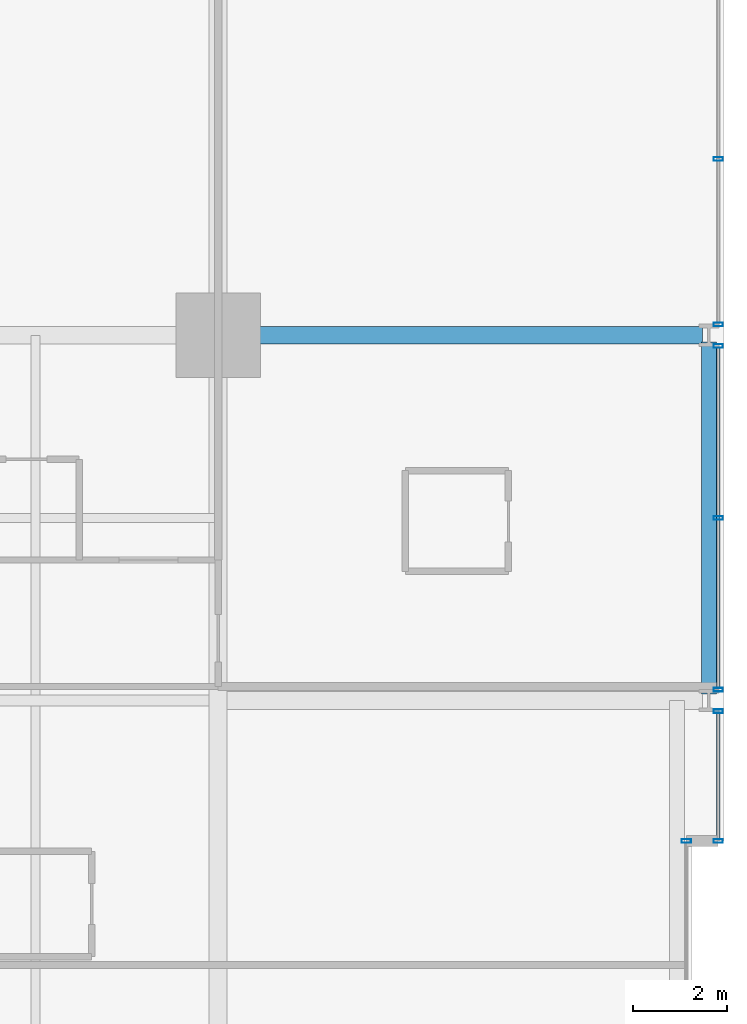
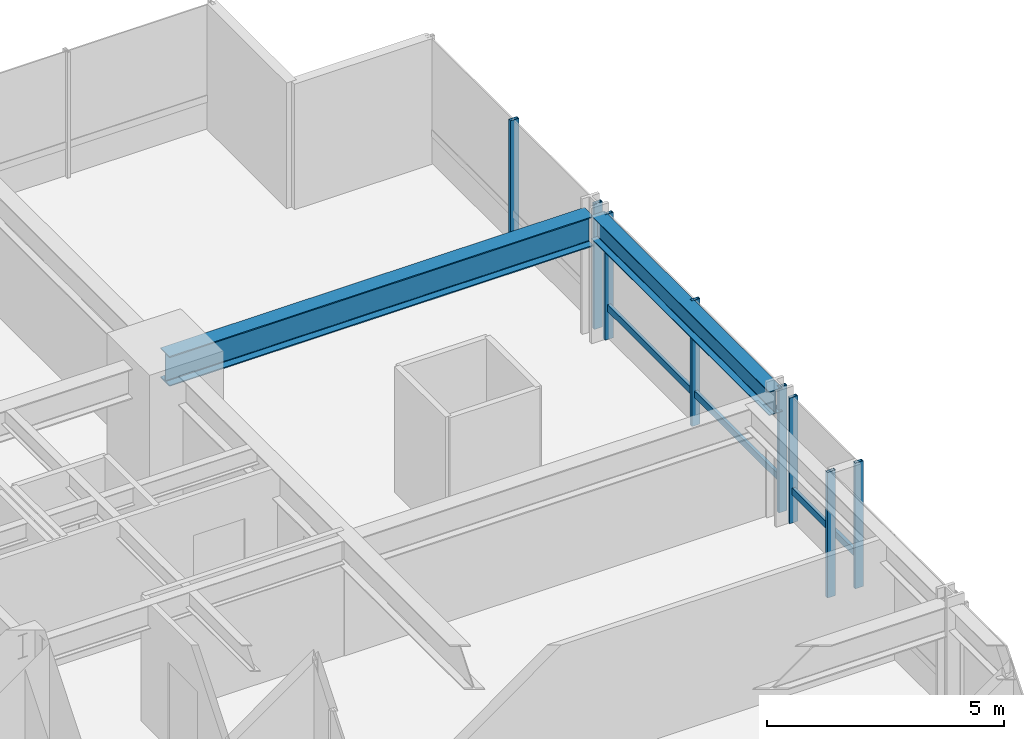
# One storey, part 25 of 38: 10 members, 2 beams, 4 elements without a shape of their own.
"""IFC4 building model written with IfcOpenShell, lengths in metres."""

from ifc_helpers import new_model, si_unit, direction, frame, origin, origin_2d, place, context, subcontext, project, spatial, hollow_rectangle, i_section, extrude, material, layer, layer_set, material_profile, profile_set, type_object, element, aggregate, save


model = new_model("IFC4")

# Units and contexts
model_context = context("Model", 3, precision=1e-05, world=origin(), true_north=direction((0.0, 1.0)))
body_context = subcontext(model_context, "Body", "Model", "MODEL_VIEW")
ifc_project = project(units=[si_unit("LENGTHUNIT", "METRE"), si_unit("AREAUNIT", "SQUARE_METRE"), si_unit("VOLUMEUNIT", "CUBIC_METRE"), si_unit("PLANEANGLEUNIT", "RADIAN"), si_unit("MASSUNIT", "GRAM", prefix="KILO")], contexts=[model_context])

# Site, building, storey
site_placement = place(None, origin())
site = spatial("IfcSite", under=ifc_project, at=site_placement, CompositionType="ELEMENT")
building_placement = place(site_placement, origin())
building = spatial("IfcBuilding", under=site, at=building_placement, Name="Drelvath Grand Hotel", CompositionType="ELEMENT")
storey_placement = place(building_placement, frame((0.0, 0.0, 61.199951171875)))
storey = spatial("IfcBuildingStorey", under=building, at=storey_placement, Name="L14", CompositionType="ELEMENT", Elevation=61.199951171875)

# Curtain wall, member
ifc_material_1 = material(Name="Warm Bronze Anodised Aluminium Frame", Category="aluminium")
ifc_layer = layer(ifc_material_1, 0.199951171875)
ifc_layer_set = layer_set([ifc_layer], Name="Warm Bronze Anodised Aluminium Frame")
curtain_wall_type = type_object("IfcCurtainWallType", Name="Stick Curtain Wall CW-02 Warm Bronze Low-Rise", PredefinedType="NOTDEFINED", material=ifc_layer_set)
curtain_wall_1_placement = place(storey_placement, origin())
curtain_wall_1 = element("IfcCurtainWall", 1, at=curtain_wall_1_placement, inside=storey, type_object=curtain_wall_type, Name="L14 CW-02 Curtain Wall CW02-L14-EN1", PredefinedType="NOTDEFINED")
ifc_material_profile_1 = material_profile(ifc_material_1, hollow_rectangle(XDim=0.074951171875, YDim=0.179931640625, WallThickness=0.0048828125, at=origin_2d()), Name="HSS180X75X5")
ifc_profile_set_1 = profile_set([ifc_material_profile_1], Name="Warm Bronze Anodised Aluminium Frame")
member_type_1 = type_object("IfcMemberType", Name="Curtain Wall Horizontal Transom CW-02 HSS180X75X5", PredefinedType="USERDEFINED", material=ifc_profile_set_1)
member_1_placement = place(storey_placement, frame((26.8798828125, 35.130859375, 0.81005859375), z_axis=(0.0, -1.0, 0.0), x_axis=(1.0, 0.0, 0.0)))
member_1 = element("IfcMember", 2, at=member_1_placement, type_object=member_type_1, Name="CW02-L14-EN1 Sill Transom", ObjectType="TRANSOM", PredefinedType="USERDEFINED", context=body_context, shape_type="SweptSolid", body=[
    extrude(hollow_rectangle(XDim=0.074951171875, YDim=0.179931640625, WallThickness=0.0048828125, at=origin_2d()), origin(), (0.0, 0.0, 1.0), 2.69091796875),
])

curtain_wall_2_placement = place(storey_placement, origin())
curtain_wall_2 = element("IfcCurtainWall", 3, at=curtain_wall_2_placement, inside=storey, type_object=curtain_wall_type, Name="L14 CW-02 Curtain Wall CW02-L14-EN2", PredefinedType="NOTDEFINED")
member_2_placement = place(storey_placement, frame((26.8798828125, 42.930908203125, 0.81005859375), z_axis=(0.0, -1.0, 0.0), x_axis=(1.0, 0.0, 0.0)))
member_2 = element("IfcMember", 4, at=member_2_placement, type_object=member_type_1, Name="CW02-L14-EN2 Sill Transom", ObjectType="TRANSOM", PredefinedType="USERDEFINED", context=body_context, shape_type="SweptSolid", body=[
    extrude(hollow_rectangle(XDim=0.074951171875, YDim=0.179931640625, WallThickness=0.0048828125, at=origin_2d()), origin(), (0.0, 0.0, 1.0), 7.26171875),
])

# Member
ifc_material_profile_2 = material_profile(ifc_material_1, hollow_rectangle(XDim=0.080078125, YDim=0.199951171875, WallThickness=0.0048828125, at=origin_2d()), Name="HSS200X80X5")
ifc_profile_set_2 = profile_set([ifc_material_profile_2], Name="Warm Bronze Anodised Aluminium Frame")
member_type_2 = type_object("IfcMemberType", Name="Curtain Wall Vertical Mullion CW-02 HSS200X80X5", PredefinedType="MULLION", material=ifc_profile_set_2)
member_3_placement = place(storey_placement, frame((26.8798828125, 35.1708984375, 0.0), z_axis=(0.0, 0.0, 1.0), x_axis=(0.0, 1.0, 0.0)))
member_3 = element("IfcMember", 5, at=member_3_placement, type_object=member_type_2, Name="CW02-L14-EN1 Mullion 1", PredefinedType="MULLION", context=body_context, shape_type="SweptSolid", body=[
    extrude(hollow_rectangle(XDim=0.080078125, YDim=0.199951171875, WallThickness=0.0048828125, at=origin_2d()), origin(), (0.0, 0.0, 1.0), 3.239990234375),
])

member_4_placement = place(storey_placement, frame((26.8798828125, 32.39990234375, 0.0), z_axis=(0.0, 0.0, 1.0), x_axis=(0.0, 1.0, 0.0)))
member_4 = element("IfcMember", 6, at=member_4_placement, type_object=member_type_2, Name="CW02-L14-EN1 Mullion 2", PredefinedType="MULLION", context=body_context, shape_type="SweptSolid", body=[
    extrude(hollow_rectangle(XDim=0.080078125, YDim=0.199951171875, WallThickness=0.0048828125, at=origin_2d()), origin(), (0.0, 0.0, 1.0), 3.239990234375),
])

aggregate(curtain_wall_1, [member_3, member_4, member_1])

member_5_placement = place(storey_placement, frame((26.8798828125, 42.970947265625, 0.0), z_axis=(0.0, 0.0, 1.0), x_axis=(0.0, 1.0, 0.0)))
member_5 = element("IfcMember", 7, at=member_5_placement, type_object=member_type_2, Name="CW02-L14-EN2 Mullion 1", PredefinedType="MULLION", context=body_context, shape_type="SweptSolid", body=[
    extrude(hollow_rectangle(XDim=0.080078125, YDim=0.199951171875, WallThickness=0.0048828125, at=origin_2d()), origin(), (0.0, 0.0, 1.0), 3.239990234375),
])

member_6_placement = place(storey_placement, frame((26.8798828125, 39.300048828125, 0.0), z_axis=(0.0, 0.0, 1.0), x_axis=(0.0, 1.0, 0.0)))
member_6 = element("IfcMember", 8, at=member_6_placement, type_object=member_type_2, Name="CW02-L14-EN2 Mullion 2", PredefinedType="MULLION", context=body_context, shape_type="SweptSolid", body=[
    extrude(hollow_rectangle(XDim=0.080078125, YDim=0.199951171875, WallThickness=0.0048828125, at=origin_2d()), origin(), (0.0, 0.0, 1.0), 3.239990234375),
])

member_7_placement = place(storey_placement, frame((26.8798828125, 35.629150390625, 0.0), z_axis=(0.0, 0.0, 1.0), x_axis=(0.0, 1.0, 0.0)))
member_7 = element("IfcMember", 9, at=member_7_placement, type_object=member_type_2, Name="CW02-L14-EN2 Mullion 3", PredefinedType="MULLION", context=body_context, shape_type="SweptSolid", body=[
    extrude(hollow_rectangle(XDim=0.080078125, YDim=0.199951171875, WallThickness=0.0048828125, at=origin_2d()), origin(), (0.0, 0.0, 1.0), 3.239990234375),
])

aggregate(curtain_wall_2, [member_5, member_6, member_7, member_2])

# Curtain wall, members
curtain_wall_3_placement = place(storey_placement, origin())
curtain_wall_3 = element("IfcCurtainWall", 10, at=curtain_wall_3_placement, inside=storey, type_object=curtain_wall_type, Name="L14 CW-02 Curtain Wall CW02-L14-EN3", PredefinedType="NOTDEFINED")
member_8_placement = place(storey_placement, frame((26.8798828125, 46.964599609375, 0.0), z_axis=(0.0, 0.0, 1.0), x_axis=(0.0, 1.0, 0.0)))
member_8 = element("IfcMember", 11, at=member_8_placement, type_object=member_type_2, Name="CW02-L14-EN3 Mullion 2", PredefinedType="MULLION", context=body_context, shape_type="SweptSolid", body=[
    extrude(hollow_rectangle(XDim=0.080078125, YDim=0.199951171875, WallThickness=0.0048828125, at=origin_2d()), origin(), (0.0, 0.0, 1.0), 3.239990234375),
])
member_9_placement = place(storey_placement, frame((26.8798828125, 43.42919921875, 0.0), z_axis=(0.0, 0.0, 1.0), x_axis=(0.0, 1.0, 0.0)))
member_9 = element("IfcMember", 12, at=member_9_placement, type_object=member_type_2, Name="CW02-L14-EN3 Mullion 3", PredefinedType="MULLION", context=body_context, shape_type="SweptSolid", body=[
    extrude(hollow_rectangle(XDim=0.080078125, YDim=0.199951171875, WallThickness=0.0048828125, at=origin_2d()), origin(), (0.0, 0.0, 1.0), 3.239990234375),
])
aggregate(curtain_wall_3, [member_8, member_9])

# Curtain wall, member
curtain_wall_4_placement = place(storey_placement, origin())
curtain_wall_4 = element("IfcCurtainWall", 13, at=curtain_wall_4_placement, inside=storey, type_object=curtain_wall_type, Name="L14 CW-02 Curtain Wall CW02-L14-EM2", PredefinedType="NOTDEFINED")
member_10_placement = place(storey_placement, frame((26.199951171875, 32.39990234375, 0.0), z_axis=(0.0, 0.0, 1.0), x_axis=(0.0, 1.0, 0.0)))
member_10 = element("IfcMember", 14, at=member_10_placement, type_object=member_type_2, Name="CW02-L14-EM2 Mullion 1", PredefinedType="MULLION", context=body_context, shape_type="SweptSolid", body=[
    extrude(hollow_rectangle(XDim=0.080078125, YDim=0.199951171875, WallThickness=0.0048828125, at=origin_2d()), origin(), (0.0, 0.0, 1.0), 3.239990234375),
])
aggregate(curtain_wall_4, [member_10])

# Beams
ifc_material_2 = material(Name="Steel ASTM A992 Gr 50", Category="steel")
ifc_material_profile_3 = material_profile(ifc_material_2, i_section(OverallWidth=0.323974609375, OverallDepth=0.611083984375, WebThickness=0.0126953125, FlangeThickness=0.01904296875, FilletRadius=0.02197265625, at=origin_2d()), Name="W24X104")
ifc_profile_set_3 = profile_set([ifc_material_profile_3], Name="Steel ASTM A992 Gr 50")
beam_type_1 = type_object("IfcBeamType", Name="Perimeter Spandrel Beam W24X104", PredefinedType="SPANDREL", material=ifc_profile_set_3)
beam_1_placement = place(storey_placement, frame((26.679931640625, 35.5400390625, 2.9345703125), z_axis=(0.0, 1.0, 0.0), x_axis=(-1.0, 0.0, 0.0)))
element("IfcBeam", 15, at=beam_1_placement, inside=storey, type_object=beam_type_1, Name="L14 Spandrel East N", PredefinedType="SPANDREL", context=body_context, shape_type="SweptSolid", body=[
    extrude(i_section(OverallWidth=0.323974609375, OverallDepth=0.611083984375, WebThickness=0.0126953125, FlangeThickness=0.01904296875, FilletRadius=0.02197265625, at=origin_2d()), origin(), (0.0, 0.0, 1.0), 7.52001953125),
])
ifc_material_profile_4 = material_profile(ifc_material_2, i_section(OverallWidth=0.380615234375, OverallDepth=0.773193359375, WebThickness=0.0166015625, FlangeThickness=0.027099609375, FilletRadius=0.02490234375, at=origin_2d()), Name="W30X173")
ifc_profile_set_4 = profile_set([ifc_material_profile_4], Name="Steel ASTM A992 Gr 50")
beam_type_2 = type_object("IfcBeamType", Name="Primary Floor Girder W30X173", PredefinedType="BEAM", material=ifc_profile_set_4)
beam_2_placement = place(storey_placement, frame((16.199951171875, 43.199951171875, 2.853515625), z_axis=(1.0, 0.0, 0.0), x_axis=(0.0, 1.0, 0.0)))
element("IfcBeam", 16, at=beam_2_placement, inside=storey, type_object=beam_type_2, Name="L14 East Grid Girder G", PredefinedType="BEAM", context=body_context, shape_type="SweptSolid", body=[
    extrude(i_section(OverallWidth=0.380615234375, OverallDepth=0.773193359375, WebThickness=0.0166015625, FlangeThickness=0.027099609375, FilletRadius=0.02490234375, at=origin_2d()), origin(), (0.0, 0.0, 1.0), 10.340087890625),
])

save(model, "model.ifc")
